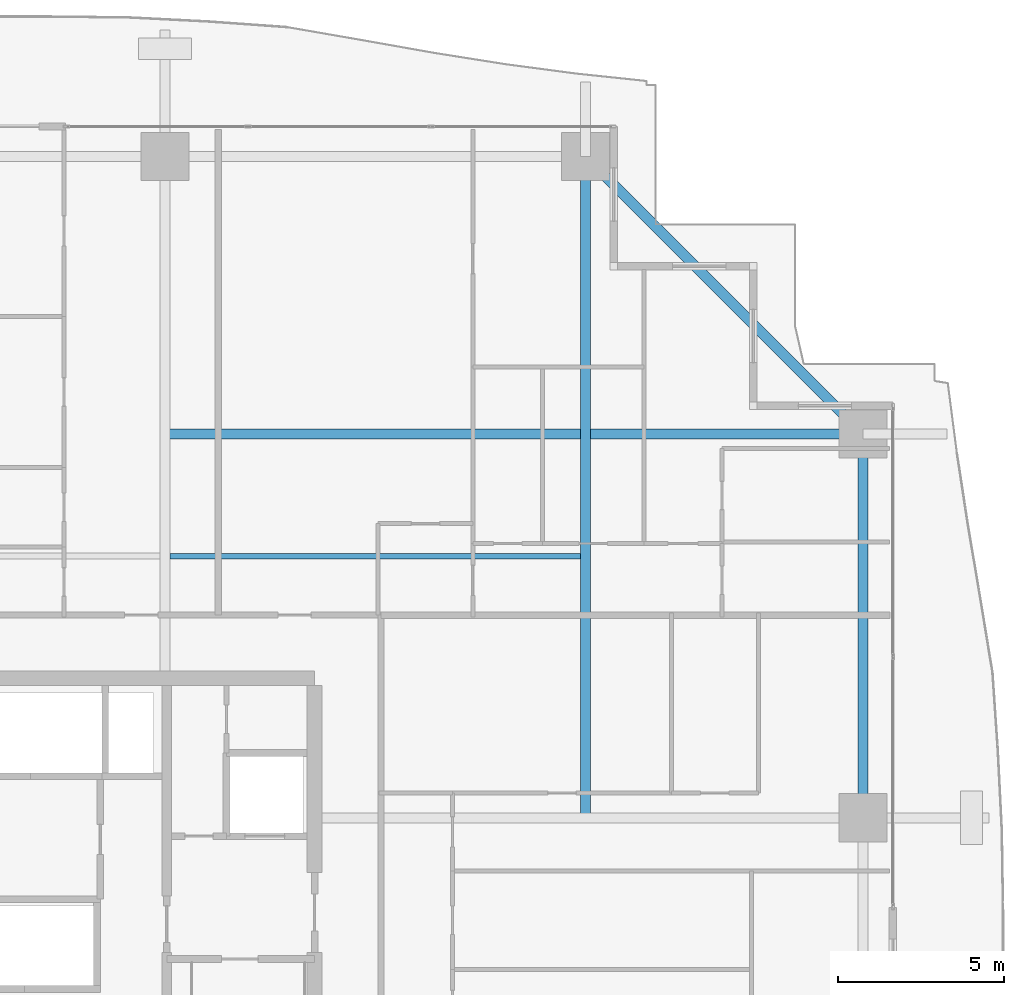
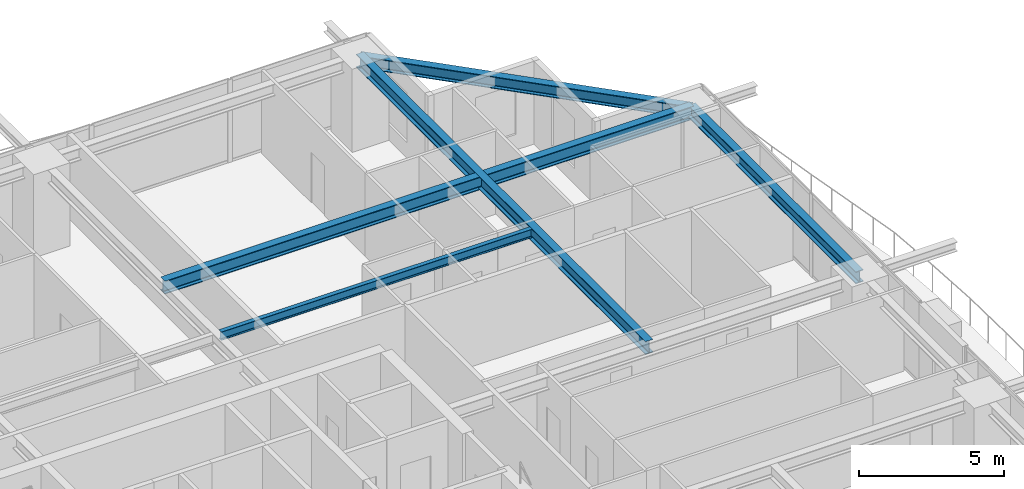
# One storey, part 22 of 37: 5 beams.
"""IFC4 building model written with IfcOpenShell, lengths in metres."""

from ifc_helpers import new_model, si_unit, direction, frame, origin, origin_2d, place, context, subcontext, project, spatial, i_section, extrude, source, transform, mapped, material, material_profile, profile_set, type_object, element, save


model = new_model("IFC4")

# Units and contexts
model_context = context("Model", 3, precision=1e-05, world=origin(), true_north=direction((0.0, 1.0)))
body_context = subcontext(model_context, "Body", "Model", "MODEL_VIEW")
ifc_project = project(units=[si_unit("LENGTHUNIT", "METRE"), si_unit("AREAUNIT", "SQUARE_METRE"), si_unit("VOLUMEUNIT", "CUBIC_METRE"), si_unit("PLANEANGLEUNIT", "RADIAN"), si_unit("MASSUNIT", "GRAM", prefix="KILO")], contexts=[model_context])

# Site, building, storey
site_placement = place(None, origin())
site = spatial("IfcSite", under=ifc_project, at=site_placement, CompositionType="ELEMENT")
building_placement = place(site_placement, origin())
building = spatial("IfcBuilding", under=site, at=building_placement, Name="Serunith Strait Residences", CompositionType="ELEMENT")
storey_placement = place(building_placement, frame((0.0, 0.0, 34.199951171875)))
storey = spatial("IfcBuildingStorey", under=building, at=storey_placement, Name="L07", CompositionType="ELEMENT", Elevation=34.199951171875)

# Beams
ifc_material = material(Name="Steel S355J2", Category="steel")
ifc_material_profile_1 = material_profile(ifc_material, i_section(OverallWidth=0.300048828125, OverallDepth=0.550048828125, WebThickness=0.014892578125, FlangeThickness=0.029052734375, FilletRadius=0.027099609375, at=origin_2d()), Name="HEB 550")
ifc_profile_set_1 = profile_set([ifc_material_profile_1], Name="Steel S355J2")
beam_type_1 = type_object("IfcBeamType", Name="BM-HEB550", PredefinedType="BEAM", material=ifc_profile_set_1)
shared_shape_1 = source(origin(), body_context, "Body", "SweptSolid", [
    extrude(i_section(OverallWidth=0.300048828125, OverallDepth=0.550048828125, WebThickness=0.014892578125, FlangeThickness=0.029052734375, FilletRadius=0.027099609375, at=origin_2d()), origin(), (0.0, 0.0, 1.0), 19.900146484375),
])
beam_1_placement = place(storey_placement, frame((49.550048828125, 29.39990234375, 3.212158203125), z_axis=(0.0, 1.0, 0.0), x_axis=(-1.0, 0.0, 0.0)))
element("IfcBeam", 1, at=beam_1_placement, inside=storey, type_object=beam_type_1, Name="L07 Orthogonal Corner Girder TC-N4", PredefinedType="BEAM", context=body_context, shape_type="MappedRepresentation", body=[
    mapped(shared_shape_1, transform((0.0, 0.0, 0.0), scale=1.0)),
])
shared_shape_2 = source(origin(), body_context, "Body", "SweptSolid", [
    extrude(i_section(OverallWidth=0.300048828125, OverallDepth=0.550048828125, WebThickness=0.014892578125, FlangeThickness=0.029052734375, FilletRadius=0.027099609375, at=origin_2d()), origin(), (0.0, 0.0, 1.0), 21.0),
])
beam_2_placement = place(storey_placement, frame((36.89990234375, 40.949951171875, 3.212158203125), z_axis=(1.0, 0.0, 0.0), x_axis=(0.0, 1.0, 0.0)))
element("IfcBeam", 2, at=beam_2_placement, inside=storey, type_object=beam_type_1, Name="L07 Orthogonal Corner Girder TC-E4", PredefinedType="BEAM", context=body_context, shape_type="MappedRepresentation", body=[
    mapped(shared_shape_2, transform((0.0, 0.0, 0.0), scale=1.0)),
])
ifc_material_profile_2 = material_profile(ifc_material, i_section(OverallWidth=0.300048828125, OverallDepth=0.5, WebThickness=0.014404296875, FlangeThickness=0.028076171875, FilletRadius=0.027099609375, at=origin_2d()), Name="HEB 500")
ifc_profile_set_2 = profile_set([ifc_material_profile_2], Name="Steel S355J2")
beam_type_2 = type_object("IfcBeamType", Name="BM-HEB500", PredefinedType="BEAM", material=ifc_profile_set_2)
shared_shape_3 = source(origin(), body_context, "Body", "SweptSolid", [
    extrude(i_section(OverallWidth=0.300048828125, OverallDepth=0.5, WebThickness=0.014404296875, FlangeThickness=0.028076171875, FilletRadius=0.027099609375, at=origin_2d()), origin(), (0.0, 0.0, 1.0), 11.80859375),
])
beam_3_placement = place(storey_placement, frame((57.89990234375, 40.949951171875, 3.20703125), z_axis=(-0.707096443746, 0.707117118476, 0.0), x_axis=(-0.707117118476, -0.707096443746, 0.0)))
element("IfcBeam", 3, at=beam_3_placement, inside=storey, type_object=beam_type_2, Name="L07 Perimeter Ring Beam 08", PredefinedType="BEAM", context=body_context, shape_type="MappedRepresentation", body=[
    mapped(shared_shape_3, transform((0.0, 0.0, 0.0), scale=1.0)),
])
shared_shape_4 = source(origin(), body_context, "Body", "SweptSolid", [
    extrude(i_section(OverallWidth=0.300048828125, OverallDepth=0.5, WebThickness=0.014404296875, FlangeThickness=0.028076171875, FilletRadius=0.027099609375, at=origin_2d()), origin(), (0.0, 0.0, 1.0), 11.550048828125),
])
beam_4_placement = place(storey_placement, frame((57.89990234375, 29.39990234375, 3.237060546875), z_axis=(0.0, 1.0, 0.0), x_axis=(-1.0, 0.0, 0.0)))
element("IfcBeam", 4, at=beam_4_placement, inside=storey, type_object=beam_type_2, Name="L07 Perimeter Ring Beam 07", PredefinedType="BEAM", context=body_context, shape_type="MappedRepresentation", body=[
    mapped(shared_shape_4, transform((0.0, 0.0, 0.0), scale=1.0)),
])
ifc_material_profile_3 = material_profile(ifc_material, i_section(OverallWidth=0.169921875, OverallDepth=0.360107421875, WebThickness=0.008056640625, FlangeThickness=0.0126953125, FilletRadius=0.01806640625, at=origin_2d()), Name="IPE 360")
ifc_profile_set_3 = profile_set([ifc_material_profile_3], Name="Steel S355J2")
beam_type_3 = type_object("IfcBeamType", Name="BM-IPE360", PredefinedType="JOIST", material=ifc_profile_set_3)
shared_shape_5 = source(origin(), body_context, "Body", "SweptSolid", [
    extrude(i_section(OverallWidth=0.169921875, OverallDepth=0.360107421875, WebThickness=0.008056640625, FlangeThickness=0.0126953125, FilletRadius=0.01806640625, at=origin_2d()), origin(), (0.0, 0.0, 1.0), 12.349853515625),
])
beam_5_placement = place(storey_placement, frame((37.050048828125, 37.27490234375, 3.30712890625), z_axis=(1.0, 0.0, 0.0), x_axis=(0.0, 1.0, 0.0)))
element("IfcBeam", 5, at=beam_5_placement, inside=storey, type_object=beam_type_3, Name="L07 Composite Floor Joist 06", PredefinedType="JOIST", context=body_context, shape_type="MappedRepresentation", body=[
    mapped(shared_shape_5, transform((0.0, 0.0, 0.0), scale=1.0)),
])

save(model, "model.ifc")
